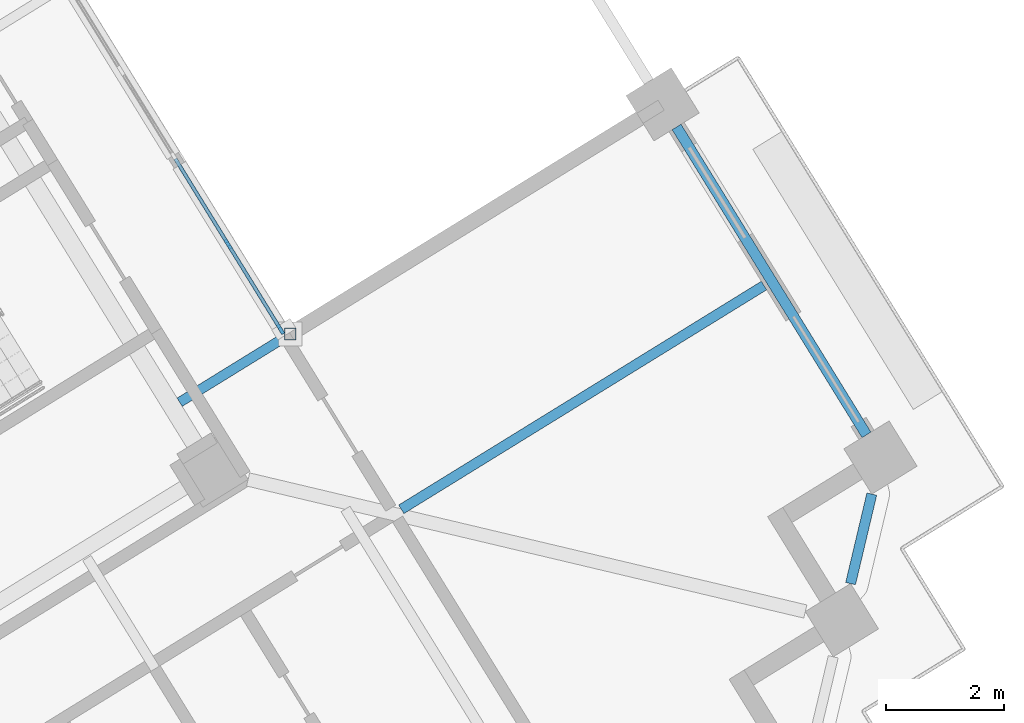
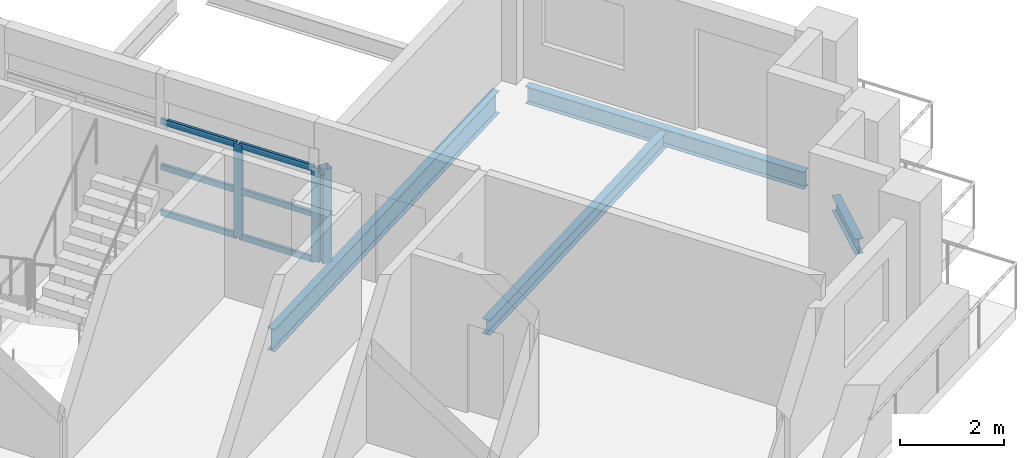
# One storey, part 2 of 21: 9 members, 4 beams, 1 element without a shape of its own.
"""IFC4 building model written with IfcOpenShell, lengths in metres."""

import ifcopenshell
import ifcopenshell.guid

model = None  # the IFC model being written
_history = None  # IfcOwnerHistory: only IFC2X3 demands one
_inside = {}  # id of a spatial element -> (the spatial element, [elements in it])
_under = {}  # id of a project, library or spatial element -> (it, [spatial elements below it])
_declared = {}  # id of a project -> (the project, [libraries it declares])
_typed = {}  # id of a type object -> (the type object, [elements of that type])
_made_of = {}  # id of a material, layer set ... -> (it, [elements and type objects made of it])


def new_model(schema):
    """Start an empty IFC model of exactly this schema.

    Asked for "IFC4X3", IfcOpenShell would pick the latest addendum, in which some entities
    have other attributes; the version numbers below select the first issue.
    IFC2X3 requires an IfcOwnerHistory on every rooted entity: one is made here for all.
    """
    global model, _history
    if schema == "IFC4X3":
        model = ifcopenshell.file(schema_version=(4, 3, 0, 0))
    else:
        model = ifcopenshell.file(schema=schema)
    _inside.clear()
    _under.clear()
    _declared.clear()
    _typed.clear()
    _made_of.clear()
    _history = None
    if model.schema == "IFC2X3":
        org = make("IfcOrganization", Name="unknown")
        user = make(
            "IfcPersonAndOrganization",
            ThePerson=make("IfcPerson", FamilyName="unknown"),
            TheOrganization=org,
        )
        app = make(
            "IfcApplication",
            ApplicationDeveloper=org,
            Version="unknown",
            ApplicationFullName="unknown",
            ApplicationIdentifier="unknown",
        )
        _history = make(
            "IfcOwnerHistory",
            OwningUser=user,
            OwningApplication=app,
            ChangeAction="ADDED",
            CreationDate=0,
        )
    return model


def make(cls, **values):
    """One entity of the class cls with the attributes given. An attribute that is None is left unset."""
    return model.create_entity(
        cls, **{name: value for name, value in values.items() if value is not None}
    )


def rooted(cls, **values):
    """An entity with a GlobalId (a new one), such as an element, a storey or a relation."""
    return make(cls, GlobalId=ifcopenshell.guid.new(), OwnerHistory=_history, **values)


def si_unit(unit_type, name, prefix=None):
    """IfcSIUnit, for example si_unit("LENGTHUNIT", "METRE", prefix="MILLI")."""
    return make("IfcSIUnit", UnitType=unit_type, Prefix=prefix, Name=name)


def assignment(units):
    """IfcUnitAssignment: the units of a project."""
    return None if units is None else make("IfcUnitAssignment", Units=units)


def point(xyz):
    """IfcCartesianPoint."""
    return None if xyz is None else make("IfcCartesianPoint", Coordinates=xyz)


def direction(xyz):
    """IfcDirection."""
    return None if xyz is None else make("IfcDirection", DirectionRatios=xyz)


def frame(location, z_axis=None, x_axis=None):
    """IfcAxis2Placement3D, a coordinate frame: its origin and axes. An axis left out is left unset."""
    return make(
        "IfcAxis2Placement3D",
        Location=point(location),
        Axis=direction(z_axis),
        RefDirection=direction(x_axis),
    )


def frame_2d(location, x_axis=None):
    """IfcAxis2Placement2D, a coordinate frame in the plane: its origin and x axis."""
    return make(
        "IfcAxis2Placement2D", Location=point(location), RefDirection=direction(x_axis)
    )


def origin():
    """The frame at (0, 0, 0) with its axes left unset."""
    return frame((0.0, 0.0, 0.0))


def origin_2d():
    """The frame at (0, 0) in the plane with its x axis left unset."""
    return frame_2d((0.0, 0.0))


def place(relative_to, where):
    """IfcLocalPlacement: puts the frame where relative to a parent placement (None: the world)."""
    return make(
        "IfcLocalPlacement", PlacementRelTo=relative_to, RelativePlacement=where
    )


def context(
    kind, dimensions, precision=None, world=None, true_north=None, identifier=None
):
    """IfcGeometricRepresentationContext, for example the 3D "Model" context."""
    return make(
        "IfcGeometricRepresentationContext",
        ContextIdentifier=identifier,
        ContextType=kind,
        CoordinateSpaceDimension=dimensions,
        Precision=precision,
        WorldCoordinateSystem=world,
        TrueNorth=true_north,
    )


def subcontext(parent, identifier, kind, view, scale=None):
    """IfcGeometricRepresentationSubContext, for example "Body" below "Model"."""
    return make(
        "IfcGeometricRepresentationSubContext",
        ContextIdentifier=identifier,
        ContextType=kind,
        ParentContext=parent,
        TargetScale=scale,
        TargetView=view,
    )


def project(units=None, contexts=None):
    """IfcProject with its units and contexts."""
    return rooted(
        "IfcProject",
        Name="project",
        RepresentationContexts=contexts,
        UnitsInContext=assignment(units),
    )


def spatial(cls, under=None, at=None, **own):
    """A site, building, storey or space (cls), placed at a placement, below another one or the project."""
    s = rooted(cls, ObjectPlacement=at, **own)
    if under is not None:
        _under.setdefault(under.id(), (under, []))[1].append(s)
    return s


def profile(cls, at=None, kind="AREA", **sizes):
    """A parametric profile (cls). Its sizes go by their IFC names, for example OverallWidth=200.0."""
    return make(cls, ProfileType=kind, Position=at, **sizes)


def rectangle(**sizes):
    """IfcRectangleProfileDef."""
    return profile("IfcRectangleProfileDef", **sizes)


def hollow_rectangle(**sizes):
    """IfcRectangleHollowProfileDef."""
    return profile("IfcRectangleHollowProfileDef", **sizes)


def i_section(**sizes):
    """IfcIShapeProfileDef."""
    return profile("IfcIShapeProfileDef", **sizes)


def extrude(swept, where, along, depth):
    """IfcExtrudedAreaSolid: the profile swept, set in the frame where, extruded along a direction by depth."""
    return make(
        "IfcExtrudedAreaSolid",
        SweptArea=swept,
        Position=where,
        ExtrudedDirection=direction(along),
        Depth=depth,
    )


def shape(context_of_items, identifier, shape_type, items):
    """IfcShapeRepresentation: the items that make up one representation, for example the "Body"."""
    return make(
        "IfcShapeRepresentation",
        ContextOfItems=context_of_items,
        RepresentationIdentifier=identifier,
        RepresentationType=shape_type,
        Items=items,
    )


def material(Name=None, Category=None):
    """IfcMaterial."""
    return make("IfcMaterial", Name=Name, Category=Category)


def material_profile(
    of_material, cross_section, Name=None, Category=None, Priority=None
):
    """IfcMaterialProfile: a cross section and its material."""
    return make(
        "IfcMaterialProfile",
        Name=Name,
        Material=of_material,
        Profile=cross_section,
        Priority=Priority,
        Category=Category,
    )


def profile_set(profiles, Name=None, composite=None):
    """IfcMaterialProfileSet."""
    return make(
        "IfcMaterialProfileSet",
        Name=Name,
        MaterialProfiles=profiles,
        CompositeProfile=composite,
    )


def made_of(thing, what):
    """Note that an element or type object is made of a material, layer set ...; save() writes the relation."""
    if what is not None:
        _made_of.setdefault(what.id(), (what, []))[1].append(thing)
    return thing


def type_object(cls, material=None, **own):
    """A type object (cls), such as IfcWallType, which elements share."""
    return made_of(rooted(cls, **own), material)


def element(
    cls,
    number,
    at=None,
    inside=None,
    cuts=None,
    type_object=None,
    material=None,
    context=None,
    identifier="Body",
    shape_type=None,
    held_by="IfcProductDefinitionShape",
    body=None,
    shapes=None,
    **own,
):
    """One element of the class cls, such as IfcWall. Its Tag is "e" and its number.

    at: its placement. inside: the storey or other place that contains it. cuts: it is an
    opening in that element (IfcRelVoidsElement). A single representation is given by context,
    identifier, shape_type and body (its items); several are given by shapes. held_by: the class
    of the entity that holds the representations. save() writes the other relations.
    """
    e = rooted(cls, Tag="e%d" % number, ObjectPlacement=at, **own)
    if body is not None:
        shapes = [shape(context, identifier, shape_type, body)]
    if shapes is not None:
        e.Representation = make(held_by, Representations=shapes)
    if inside is not None:
        _inside.setdefault(inside.id(), (inside, []))[1].append(e)
    if cuts is not None:
        rooted(
            "IfcRelVoidsElement", RelatingBuildingElement=cuts, RelatedOpeningElement=e
        )
    if type_object is not None:
        _typed.setdefault(type_object.id(), (type_object, []))[1].append(e)
    return made_of(e, material)


def aggregate(whole, parts):
    """IfcRelAggregates: a whole, such as a stair, and the parts it consists of."""
    return rooted("IfcRelAggregates", RelatingObject=whole, RelatedObjects=parts)


def save(model, path):
    """Write the relations noted so far, then the file.

    IfcRelAggregates (storeys below a building ...), IfcRelContainedInSpatialStructure (elements
    in a storey), IfcRelDefinesByType, IfcRelAssociatesMaterial and IfcRelDeclares: one each for
    every whole, place, type object, material and project.
    """
    for whole, parts in _under.values():
        aggregate(whole, parts)
    for where, things in _inside.values():
        rooted(
            "IfcRelContainedInSpatialStructure",
            RelatedElements=things,
            RelatingStructure=where,
        )
    for kind, things in _typed.values():
        rooted("IfcRelDefinesByType", RelatedObjects=things, RelatingType=kind)
    for what, things in _made_of.values():
        rooted("IfcRelAssociatesMaterial", RelatedObjects=things, RelatingMaterial=what)
    for by, libraries in _declared.values():
        rooted("IfcRelDeclares", RelatingContext=by, RelatedDefinitions=libraries)
    model.write(path)


model = new_model("IFC4")

# Units and contexts
model_context = context("Model", 3, precision=1e-05, world=origin(), true_north=direction((0.0, 1.0)))
body_context = subcontext(model_context, "Body", "Model", "MODEL_VIEW")
ifc_project = project(units=[si_unit("LENGTHUNIT", "METRE"), si_unit("AREAUNIT", "SQUARE_METRE"), si_unit("VOLUMEUNIT", "CUBIC_METRE"), si_unit("PLANEANGLEUNIT", "RADIAN"), si_unit("MASSUNIT", "GRAM", prefix="KILO")], contexts=[model_context])

# Site, building, storey
site_placement = place(None, origin())
site = spatial("IfcSite", under=ifc_project, at=site_placement, CompositionType="ELEMENT")
building_placement = place(site_placement, origin())
building = spatial("IfcBuilding", under=site, at=building_placement, Name="Cantera Rosa Tower", CompositionType="ELEMENT")
storey_placement = place(building_placement, frame((0.0, 0.0, 185.60009765625)))
storey = spatial("IfcBuildingStorey", under=building, at=storey_placement, Name="L41", CompositionType="ELEMENT", Elevation=185.60009765625)

# Curtain wall, members
ifc_material_1 = material(Name="Aluminium frame with clear glass", Category="aluminium")
curtain_wall_type = type_object("IfcCurtainWallType", Name="CW1 TERRACE POCKET GLAZING", PredefinedType="NOTDEFINED", material=ifc_material_1)
curtain_wall_placement = place(storey_placement, origin())
curtain_wall = element("IfcCurtainWall", 1, at=curtain_wall_placement, inside=storey, type_object=curtain_wall_type, Name="CW1 CW1", PredefinedType="NOTDEFINED")
ifc_material_2 = material(Name="Anodised bronze aluminium", Category="aluminium")
ifc_material_profile_1 = material_profile(ifc_material_2, rectangle(XDim=0.06005859375, YDim=0.179931640625, at=origin_2d()), Name="CW-MULLION 60x180 POCKET")
ifc_profile_set_1 = profile_set([ifc_material_profile_1], Name="Anodised bronze aluminium")
member_type_1 = type_object("IfcMemberType", Name="CW-MULLION 60x180 POCKET", PredefinedType="MULLION", material=ifc_profile_set_1)
member_1_placement = place(storey_placement, frame((20.1708984375, 0.251708984375, 0.0), z_axis=(0.0, 0.0, 1.0), x_axis=(-0.851116672434, -0.52497658034, 0.0)))
member_1 = element("IfcMember", 2, at=member_1_placement, type_object=member_type_1, Name="CW1 mullion 1", PredefinedType="MULLION", context=body_context, shape_type="SweptSolid", body=[
    extrude(rectangle(XDim=0.06005859375, YDim=0.179931640625, at=origin_2d()), origin(), (0.0, 0.0, 1.0), 2.2119140625),
])
member_2_placement = place(storey_placement, frame((19.28173828125, 1.693359375, 0.0), z_axis=(0.0, 0.0, 1.0), x_axis=(-0.851116672434, -0.52497658034, 0.0)))
member_2 = element("IfcMember", 3, at=member_2_placement, type_object=member_type_1, Name="CW1 mullion 2", PredefinedType="MULLION", context=body_context, shape_type="SweptSolid", body=[
    extrude(rectangle(XDim=0.06005859375, YDim=0.179931640625, at=origin_2d()), origin(), (0.0, 0.0, 1.0), 2.2119140625),
])
ifc_material_3 = material(Name="Anodised bronze aluminium", Category="aluminium")
ifc_material_profile_2 = material_profile(ifc_material_3, rectangle(XDim=0.06005859375, YDim=0.139892578125, at=origin_2d()), Name="CW-TRANSOM 60x140 POCKET")
ifc_profile_set_2 = profile_set([ifc_material_profile_2], Name="Anodised bronze aluminium")
member_type_2 = type_object("IfcMemberType", Name="CW-TRANSOM 60x140 POCKET", PredefinedType="USERDEFINED", material=ifc_profile_set_2)
member_3_placement = place(storey_placement, frame((20.1552734375, 0.27734375, 0.02978515625), z_axis=(-0.525005993613, 0.851098529355, 0.0), x_axis=(-0.851098529355, -0.525005993613, 0.0)))
member_3 = element("IfcMember", 4, at=member_3_placement, type_object=member_type_2, Name="CW1 transom 1.1", ObjectType="TRANSOM", PredefinedType="USERDEFINED", context=body_context, shape_type="SweptSolid", body=[
    extrude(rectangle(XDim=0.06005859375, YDim=0.139892578125, at=origin_2d()), origin(), (0.0, 0.0, 1.0), 1.633544921875),
])
member_4_placement = place(storey_placement, frame((20.1552734375, 0.27734375, 1.10595703125), z_axis=(-0.525005993613, 0.851098529355, 0.0), x_axis=(-0.851098529355, -0.525005993613, 0.0)))
member_4 = element("IfcMember", 5, at=member_4_placement, type_object=member_type_2, Name="CW1 transom 1.2", ObjectType="TRANSOM", PredefinedType="USERDEFINED", context=body_context, shape_type="SweptSolid", body=[
    extrude(rectangle(XDim=0.06005859375, YDim=0.139892578125, at=origin_2d()), origin(), (0.0, 0.0, 1.0), 1.633544921875),
])
member_5_placement = place(storey_placement, frame((20.1552734375, 0.27734375, 2.181884765625), z_axis=(-0.525005993613, 0.851098529355, 0.0), x_axis=(-0.851098529355, -0.525005993613, 0.0)))
member_5 = element("IfcMember", 6, at=member_5_placement, type_object=member_type_2, Name="CW1 transom 1.3", ObjectType="TRANSOM", PredefinedType="USERDEFINED", context=body_context, shape_type="SweptSolid", body=[
    extrude(rectangle(XDim=0.06005859375, YDim=0.139892578125, at=origin_2d()), origin(), (0.0, 0.0, 1.0), 1.633544921875),
])
member_6_placement = place(storey_placement, frame((19.26611328125, 1.71875, 0.02978515625), z_axis=(-0.524964880834, 0.851123888686, 0.0), x_axis=(-0.851123888686, -0.524964880834, 0.0)))
member_6 = element("IfcMember", 7, at=member_6_placement, type_object=member_type_2, Name="CW1 transom 2.1", ObjectType="TRANSOM", PredefinedType="USERDEFINED", context=body_context, shape_type="SweptSolid", body=[
    extrude(rectangle(XDim=0.06005859375, YDim=0.139892578125, at=origin_2d()), origin(), (0.0, 0.0, 1.0), 1.6640625),
])
member_7_placement = place(storey_placement, frame((19.26611328125, 1.71875, 1.10595703125), z_axis=(-0.524964880834, 0.851123888686, 0.0), x_axis=(-0.851123888686, -0.524964880834, 0.0)))
member_7 = element("IfcMember", 8, at=member_7_placement, type_object=member_type_2, Name="CW1 transom 2.2", ObjectType="TRANSOM", PredefinedType="USERDEFINED", context=body_context, shape_type="SweptSolid", body=[
    extrude(rectangle(XDim=0.06005859375, YDim=0.139892578125, at=origin_2d()), origin(), (0.0, 0.0, 1.0), 1.6640625),
])
member_8_placement = place(storey_placement, frame((19.26611328125, 1.71875, 2.181884765625), z_axis=(-0.524964880834, 0.851123888686, 0.0), x_axis=(-0.851123888686, -0.524964880834, 0.0)))
member_8 = element("IfcMember", 9, at=member_8_placement, type_object=member_type_2, Name="CW1 transom 2.3", ObjectType="TRANSOM", PredefinedType="USERDEFINED", context=body_context, shape_type="SweptSolid", body=[
    extrude(rectangle(XDim=0.06005859375, YDim=0.139892578125, at=origin_2d()), origin(), (0.0, 0.0, 1.0), 1.6640625),
])
aggregate(curtain_wall, [member_1, member_2, member_3, member_4, member_5, member_6, member_7, member_8])

# Member
ifc_material_4 = material(Name="Steel ASTM A992 (Fy 345 MPa)", Category="steel")
ifc_material_profile_3 = material_profile(ifc_material_4, hollow_rectangle(XDim=0.199951171875, YDim=0.199951171875, WallThickness=0.010009765625, at=origin_2d()), Name="LINTEL POST RHS 200x200x10")
ifc_profile_set_3 = profile_set([ifc_material_profile_3], Name="Steel ASTM A992 (Fy 345 MPa)")
member_type_3 = type_object("IfcMemberType", Name="LINTEL POST RHS 200x200x10", PredefinedType="USERDEFINED", material=ifc_profile_set_3)
member_9_placement = place(storey_placement, frame((20.33740234375, 0.17236328125, 0.0), z_axis=(0.0, 0.0, 1.0), x_axis=(1.0, 0.0, 0.0)))
element("IfcMember", 10, at=member_9_placement, inside=storey, type_object=member_type_3, Name="LINTEL POST L41-1", ObjectType="LINTEL POST", PredefinedType="USERDEFINED", context=body_context, shape_type="SweptSolid", body=[
    extrude(hollow_rectangle(XDim=0.199951171875, YDim=0.199951171875, WallThickness=0.010009765625, at=origin_2d()), origin(), (0.0, 0.0, 1.0), 2.2138671875),
])

# Beams
ifc_material_5 = material(Name="Steel ASTM A992 (Fy 345 MPa)", Category="steel")
ifc_material_profile_4 = material_profile(ifc_material_5, i_section(OverallWidth=0.166015625, OverallDepth=0.528076171875, WebThickness=0.009765625, FlangeThickness=0.013671875, FilletRadius=0.0126953125, at=origin_2d()), Name="W530X74")
ifc_profile_set_4 = profile_set([ifc_material_profile_4], Name="Steel ASTM A992 (Fy 345 MPa)")
beam_type_1 = type_object("IfcBeamType", Name="STEEL BEAM W530X74", PredefinedType="BEAM", material=ifc_profile_set_4)
beam_1_placement = place(storey_placement, frame((26.252685546875, 3.82080078125, -0.51416015625), z_axis=(-0.851116426313, -0.524976979362, 0.0), x_axis=(0.524976979362, -0.851116426313, 0.0)))
element("IfcBeam", 11, at=beam_1_placement, inside=storey, type_object=beam_type_1, Name="G-Z3-01 L41", PredefinedType="BEAM", context=body_context, shape_type="SweptSolid", body=[
    extrude(i_section(OverallWidth=0.166015625, OverallDepth=0.528076171875, WebThickness=0.009765625, FlangeThickness=0.013671875, FilletRadius=0.0126953125, at=origin_2d()), origin(), (0.0, 0.0, 1.0), 9.14990234375),
])
ifc_material_6 = material(Name="Steel ASTM A992 (Fy 345 MPa)", Category="steel")
ifc_material_profile_5 = material_profile(ifc_material_6, i_section(OverallWidth=0.1708984375, OverallDepth=0.35595703125, WebThickness=0.00732421875, FlangeThickness=0.01171875, FilletRadius=0.010009765625, at=origin_2d()), Name="W360X51")
ifc_profile_set_5 = profile_set([ifc_material_profile_5], Name="Steel ASTM A992 (Fy 345 MPa)")
beam_type_2 = type_object("IfcBeamType", Name="STEEL JOIST W360X51", PredefinedType="JOIST", material=ifc_profile_set_5)
beam_2_placement = place(storey_placement, frame((28.3505859375, 0.990966796875, -0.427978515625), z_axis=(-0.851109089911, -0.524988873283, 0.0), x_axis=(0.524988873283, -0.851109089911, 0.0)))
element("IfcBeam", 12, at=beam_2_placement, inside=storey, type_object=beam_type_2, Name="B-Z3-01 L41", PredefinedType="JOIST", context=body_context, shape_type="SweptSolid", body=[
    extrude(i_section(OverallWidth=0.1708984375, OverallDepth=0.35595703125, WebThickness=0.00732421875, FlangeThickness=0.01171875, FilletRadius=0.010009765625, at=origin_2d()), origin(), (0.0, 0.0, 1.0), 7.2099609375),
])
ifc_material_7 = material(Name="Steel ASTM A992 (Fy 345 MPa)", Category="steel")
ifc_material_profile_6 = material_profile(ifc_material_7, i_section(OverallWidth=0.1708984375, OverallDepth=0.35595703125, WebThickness=0.00732421875, FlangeThickness=0.01171875, FilletRadius=0.010009765625, at=origin_2d()), Name="W360X51")
ifc_profile_set_6 = profile_set([ifc_material_profile_6], Name="Steel ASTM A992 (Fy 345 MPa)")
beam_type_3 = type_object("IfcBeamType", Name="STEEL SPANDREL BEAM W360X51", PredefinedType="SPANDREL", material=ifc_profile_set_6)
beam_3_placement = place(storey_placement, frame((29.8154296875, -4.050537109375, -0.427978515625), z_axis=(0.230701014544, 0.973024687194, 0.0), x_axis=(-0.973024687194, 0.230701014544, 0.0)))
element("IfcBeam", 13, at=beam_3_placement, inside=storey, type_object=beam_type_3, Name="EB-Z3-28 L41", PredefinedType="SPANDREL", context=body_context, shape_type="SweptSolid", body=[
    extrude(i_section(OverallWidth=0.1708984375, OverallDepth=0.35595703125, WebThickness=0.00732421875, FlangeThickness=0.01171875, FilletRadius=0.010009765625, at=origin_2d()), origin(), (0.0, 0.0, 1.0), 1.5556640625),
])
ifc_material_8 = material(Name="Steel ASTM A992 (Fy 345 MPa)", Category="steel")
ifc_material_profile_7 = material_profile(ifc_material_8, i_section(OverallWidth=0.177978515625, OverallDepth=0.406005859375, WebThickness=0.0078125, FlangeThickness=0.0126953125, FilletRadius=0.01025390625, at=origin_2d()), Name="W410X60")
ifc_profile_set_7 = profile_set([ifc_material_profile_7], Name="Steel ASTM A992 (Fy 345 MPa)")
beam_type_4 = type_object("IfcBeamType", Name="STEEL SPANDREL BEAM W410X60", PredefinedType="SPANDREL", material=ifc_profile_set_7)
beam_4_placement = place(storey_placement, frame((30.084716796875, -1.53466796875, -0.453125), z_axis=(-0.524987447654, 0.851109969279, 0.0), x_axis=(-0.851109969279, -0.524987447654, 0.0)))
element("IfcBeam", 14, at=beam_4_placement, inside=storey, type_object=beam_type_4, Name="EB-Z3-01 L41", PredefinedType="SPANDREL", context=body_context, shape_type="SweptSolid", body=[
    extrude(i_section(OverallWidth=0.177978515625, OverallDepth=0.406005859375, WebThickness=0.0078125, FlangeThickness=0.0126953125, FilletRadius=0.01025390625, at=origin_2d()), origin(), (0.0, 0.0, 1.0), 6.119873046875),
])

save(model, "model.ifc")
